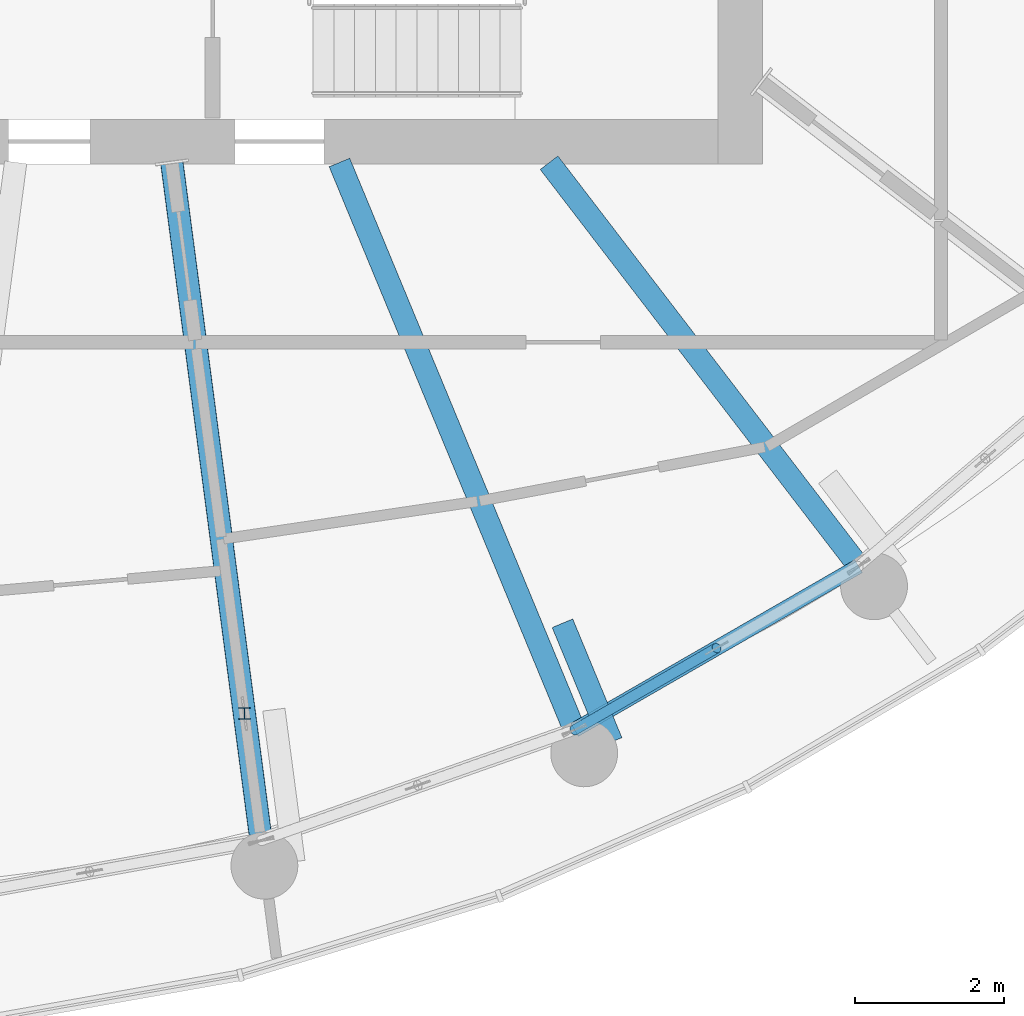
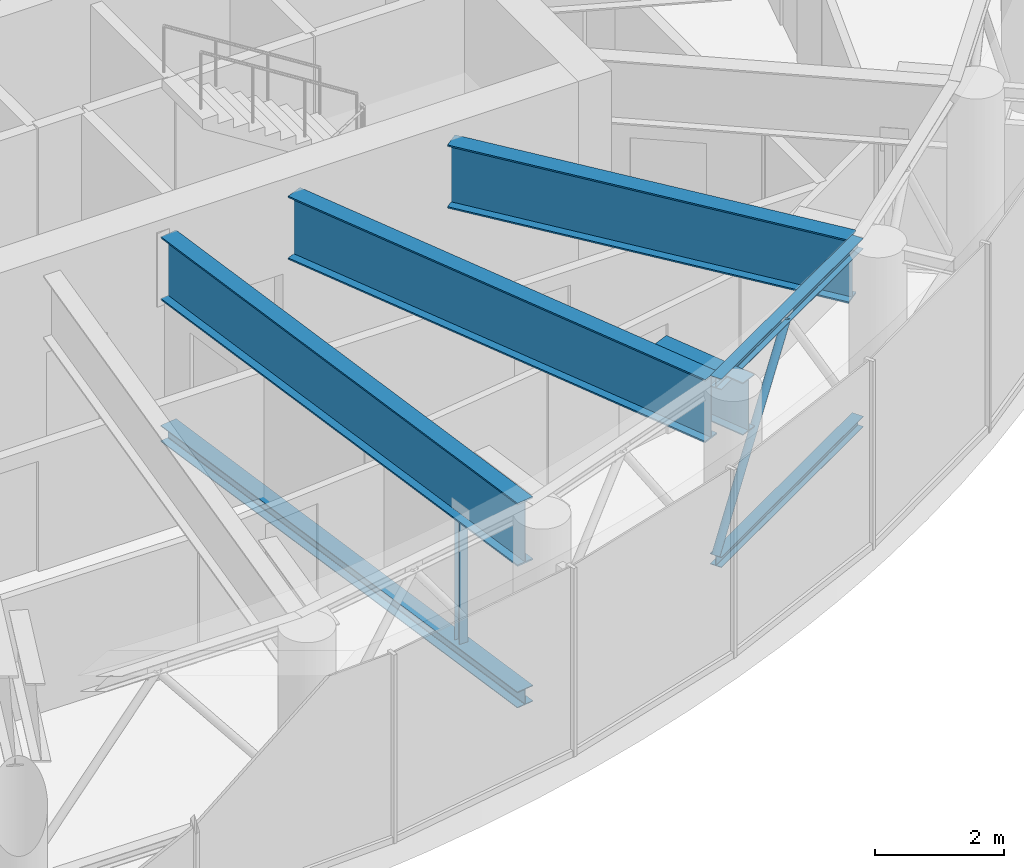
# One storey, part 4 of 26: 5 members, 4 beams.
"""IFC4 building model written with IfcOpenShell, lengths in metres."""

from ifc_helpers import new_model, si_unit, direction, frame, origin, origin_2d, place, context, subcontext, project, spatial, hollow_circle, i_section, extrude, source, transform, mapped, material, material_profile, profile_set, type_object, element, save


model = new_model("IFC4")

# Units and contexts
model_context = context("Model", 3, precision=1e-05, world=origin(), true_north=direction((0.0, 1.0)))
body_context = subcontext(model_context, "Body", "Model", "MODEL_VIEW")
ifc_project = project(units=[si_unit("LENGTHUNIT", "METRE"), si_unit("AREAUNIT", "SQUARE_METRE"), si_unit("VOLUMEUNIT", "CUBIC_METRE"), si_unit("PLANEANGLEUNIT", "RADIAN"), si_unit("MASSUNIT", "GRAM", prefix="KILO")], contexts=[model_context])

# Site, building, storey
site_placement = place(None, origin())
site = spatial("IfcSite", under=ifc_project, at=site_placement, CompositionType="ELEMENT")
building_placement = place(site_placement, origin())
building = spatial("IfcBuilding", under=site, at=building_placement, Name="Spindrift Exchange Tower", CompositionType="ELEMENT")
storey_placement = place(building_placement, frame((0.0, 0.0, 230.60009765625)))
storey = spatial("IfcBuildingStorey", under=building, at=storey_placement, Name="L56", CompositionType="ELEMENT", Elevation=230.60009765625)

# Beams
ifc_material_1 = material(Name="Steel Grade 300", Category="steel")
ifc_material_profile_1 = material_profile(ifc_material_1, i_section(OverallWidth=0.300048828125, OverallDepth=1.199951171875, WebThickness=0.011962890625, FlangeThickness=0.028076171875, at=origin_2d()), Name="1200WB249")
ifc_profile_set_1 = profile_set([ifc_material_profile_1], Name="Steel Grade 300")
beam_type_1 = type_object("IfcBeamType", Name="Transfer Girder 1200WB249 Steel Grade 300", PredefinedType="BEAM", material=ifc_profile_set_1)
shared_shape_1 = source(origin(), body_context, "Body", "SweptSolid", [
    extrude(i_section(OverallWidth=0.300048828125, OverallDepth=1.199951171875, WebThickness=0.011962890625, FlangeThickness=0.028076171875, at=origin_2d()), origin(), (0.0, 0.0, 1.0), 8.1748046875),
])
beam_1_placement = place(storey_placement, frame((55.30615234375, 40.0185546875, 2.97998046875), z_axis=(0.382655117626, -0.923891260352, 0.0), x_axis=(0.923891260352, 0.382655117626, 0.0)))
element("IfcBeam", 1, at=beam_1_placement, inside=storey, type_object=beam_type_1, Name="L56 radial beam R20A", PredefinedType="BEAM", context=body_context, shape_type="MappedRepresentation", body=[
    mapped(shared_shape_1, transform((0.0, 0.0, 0.0), scale=1.0)),
])
shared_shape_2 = source(origin(), body_context, "Body", "SweptSolid", [
    extrude(i_section(OverallWidth=0.300048828125, OverallDepth=1.199951171875, WebThickness=0.011962890625, FlangeThickness=0.028076171875, at=origin_2d()), origin(), (0.0, 0.0, 1.0), 6.753173828125),
])
beam_2_placement = place(storey_placement, frame((58.12646484375, 40.015869140625, 2.97998046875), z_axis=(0.608761639459, -0.793353178807, 0.0), x_axis=(0.793353178807, 0.608761639459, 0.0)))
element("IfcBeam", 2, at=beam_2_placement, inside=storey, type_object=beam_type_1, Name="L56 radial beam R21A", PredefinedType="BEAM", context=body_context, shape_type="MappedRepresentation", body=[
    mapped(shared_shape_2, transform((0.0, 0.0, 0.0), scale=1.0)),
])

# Member
ifc_material_profile_2 = material_profile(ifc_material_1, i_section(OverallWidth=0.152099609375, OverallDepth=0.152099609375, WebThickness=0.006103515625, FlangeThickness=0.0068359375, FilletRadius=0.008056640625, at=origin_2d()), Name="150UC23.4")
ifc_profile_set_2 = profile_set([ifc_material_profile_2], Name="Steel Grade 300")
member_type_1 = type_object("IfcMemberType", Name="Outrigger Truss Post 150UC23.4 Steel Grade 300", PredefinedType="POST", material=ifc_profile_set_2)
shared_shape_3 = source(origin(), body_context, "Body", "SweptSolid", [
    extrude(i_section(OverallWidth=0.152099609375, OverallDepth=0.152099609375, WebThickness=0.006103515625, FlangeThickness=0.0068359375, FilletRadius=0.008056640625, at=origin_2d()), origin(), (0.0, 0.0, 1.0), 2.3798828125),
])
member_1_placement = place(storey_placement, frame((54.02685546875, 32.60400390625, 0.0), z_axis=(0.0, 0.0, 1.0), x_axis=(1.0, 0.0, 0.0)))
element("IfcMember", 3, at=member_1_placement, inside=storey, type_object=member_type_1, Name="L56 outrigger truss 19 post 1", PredefinedType="POST", context=body_context, shape_type="MappedRepresentation", body=[
    mapped(shared_shape_3, transform((0.0, 0.0, 0.0), scale=1.0)),
])

# Beam
ifc_material_profile_3 = material_profile(ifc_material_1, i_section(OverallWidth=0.300048828125, OverallDepth=1.199951171875, WebThickness=0.011962890625, FlangeThickness=0.028076171875, at=origin_2d()), Name="1200WB249")
ifc_profile_set_3 = profile_set([ifc_material_profile_3], Name="Steel Grade 300")
beam_type_2 = type_object("IfcBeamType", Name="Outrigger Truss Transfer Girder 1200WB249 Steel Grade 300", PredefinedType="BEAM", material=ifc_profile_set_3)
shared_shape_4 = source(origin(), body_context, "Body", "SweptSolid", [
    extrude(i_section(OverallWidth=0.300048828125, OverallDepth=1.199951171875, WebThickness=0.011962890625, FlangeThickness=0.028076171875, at=origin_2d()), origin(), (0.0, 0.0, 1.0), 9.11376953125),
])
beam_3_placement = place(storey_placement, frame((53.050537109375, 40.019775390625, 2.97998046875), z_axis=(0.130536972606, -0.991443442049, 0.0), x_axis=(0.991443442049, 0.130536972606, 0.0)))
element("IfcBeam", 4, at=beam_3_placement, inside=storey, type_object=beam_type_2, Name="L56 outrigger truss 19 top chord 1", PredefinedType="BEAM", context=body_context, shape_type="MappedRepresentation", body=[
    mapped(shared_shape_4, transform((0.0, 0.0, 0.0), scale=1.0)),
])

# Members
ifc_material_profile_4 = material_profile(ifc_material_1, i_section(OverallWidth=0.304931640625, OverallDepth=0.30810546875, WebThickness=0.010009765625, FlangeThickness=0.015380859375, FilletRadius=0.0166015625, at=origin_2d()), Name="310UC96.8")
ifc_profile_set_4 = profile_set([ifc_material_profile_4], Name="Steel Grade 300")
member_type_2 = type_object("IfcMemberType", Name="Outrigger Truss Chord 310UC96.8 Steel Grade 300", PredefinedType="CHORD", material=ifc_profile_set_4)
shared_shape_5 = source(origin(), body_context, "Body", "SweptSolid", [
    extrude(i_section(OverallWidth=0.304931640625, OverallDepth=0.30810546875, WebThickness=0.010009765625, FlangeThickness=0.015380859375, FilletRadius=0.0166015625, at=origin_2d()), origin(), (0.0, 0.0, 1.0), 9.11376953125),
])
member_2_placement = place(storey_placement, frame((53.050537109375, 40.019775390625, -0.154052734375), z_axis=(0.130536972606, -0.991443442049, 0.0), x_axis=(0.991443442049, 0.130536972606, 0.0)))
element("IfcMember", 5, at=member_2_placement, inside=storey, type_object=member_type_2, Name="L56 outrigger truss 19 bottom chord 1", PredefinedType="CHORD", context=body_context, shape_type="MappedRepresentation", body=[
    mapped(shared_shape_5, transform((0.0, 0.0, 0.0), scale=1.0)),
])
ifc_material_profile_5 = material_profile(ifc_material_1, i_section(OverallWidth=0.202880859375, OverallDepth=0.202880859375, WebThickness=0.00732421875, FlangeThickness=0.010986328125, FilletRadius=0.012939453125, at=origin_2d()), Name="200UC46.2")
ifc_profile_set_5 = profile_set([ifc_material_profile_5], Name="Steel Grade 300")
member_type_3 = type_object("IfcMemberType", Name="Belt Truss Chord 200UC46.2 Steel Grade 300", PredefinedType="CHORD", material=ifc_profile_set_5)
shared_shape_6 = source(origin(), body_context, "Body", "SweptSolid", [
    extrude(i_section(OverallWidth=0.202880859375, OverallDepth=0.202880859375, WebThickness=0.00732421875, FlangeThickness=0.010986328125, FilletRadius=0.012939453125, at=origin_2d()), origin(), (0.0, 0.0, 1.0), 4.412841796875),
])
for number, where, z_axis, x_axis, name in (
    (6, (58.468994140625, 32.3828125, 3.478515625), (0.86636789369, 0.499406320328, 0.0), (-0.499406320328, 0.86636789369, 0.0), "L56 belt truss 20 top chord"),
    (7, (58.468994140625, 32.3828125, 0.101318359375), (0.86636789369, 0.499406320328, 0.0), (-0.499406320328, 0.86636789369, 0.0), "L56 belt truss 20 bottom chord"),
):
    element("IfcMember", number, at=place(storey_placement, frame(where, z_axis=z_axis, x_axis=x_axis)), inside=storey, type_object=member_type_3, Name=name, PredefinedType="CHORD", context=body_context, shape_type="MappedRepresentation", body=[
        mapped(shared_shape_6, transform((0.0, 0.0, 0.0), scale=1.0)),
    ])
ifc_material_2 = material(Name="Steel Grade 350", Category="steel")
ifc_material_profile_6 = material_profile(ifc_material_2, hollow_circle(Radius=0.06982421875, WallThickness=0.00537109375, at=origin_2d()), Name="139.7x5.4CHS")
ifc_profile_set_6 = profile_set([ifc_material_profile_6], Name="Steel Grade 350")
member_type_4 = type_object("IfcMemberType", Name="Belt Truss Diagonal 139.7x5.4CHS Steel Grade 350", PredefinedType="BRACE", material=ifc_profile_set_6)
shared_shape_7 = source(origin(), body_context, "Body", "SweptSolid", [
    extrude(hollow_circle(Radius=0.06982421875, WallThickness=0.00537109375, at=origin_2d()), origin(), (0.0, 0.0, 1.0), 3.86572265625),
])
member_3_placement = place(storey_placement, frame((58.468994140625, 32.3828125, 0.202880859375), z_axis=(0.494518794777, 0.28502724404, 0.82110330152), x_axis=(-0.499364793067, 0.866391830205, 0.0)))
element("IfcMember", 8, at=member_3_placement, inside=storey, type_object=member_type_4, Name="L56 belt truss 20 diagonal 1", PredefinedType="BRACE", context=body_context, shape_type="MappedRepresentation", body=[
    mapped(shared_shape_7, transform((0.0, 0.0, 0.0), scale=1.0)),
])

# Beam
ifc_material_profile_7 = material_profile(ifc_material_1, i_section(OverallWidth=0.300048828125, OverallDepth=1.0, WebThickness=0.010009765625, FlangeThickness=0.02001953125, at=origin_2d()), Name="1000WB215")
ifc_profile_set_7 = profile_set([ifc_material_profile_7], Name="Steel Grade 300")
beam_type_3 = type_object("IfcBeamType", Name="Transfer Tie Beam 1000WB215 Steel Grade 300", PredefinedType="BEAM", material=ifc_profile_set_7)
shared_shape_8 = source(origin(), body_context, "Body", "SweptSolid", [
    extrude(i_section(OverallWidth=0.300048828125, OverallDepth=1.0, WebThickness=0.010009765625, FlangeThickness=0.02001953125, at=origin_2d()), origin(), (0.0, 0.0, 1.0), 1.72900390625),
])
beam_4_placement = place(storey_placement, frame((58.968505859375, 32.2216796875, 2.97998046875), z_axis=(-0.382659407135, 0.923889483721, 0.0), x_axis=(-0.923889483721, -0.382659407135, 0.0)))
element("IfcBeam", 9, at=beam_4_placement, inside=storey, type_object=beam_type_3, Name="L56 transfer tie beam K20", PredefinedType="BEAM", context=body_context, shape_type="MappedRepresentation", body=[
    mapped(shared_shape_8, transform((0.0, 0.0, 0.0), scale=1.0)),
])

save(model, "model.ifc")
